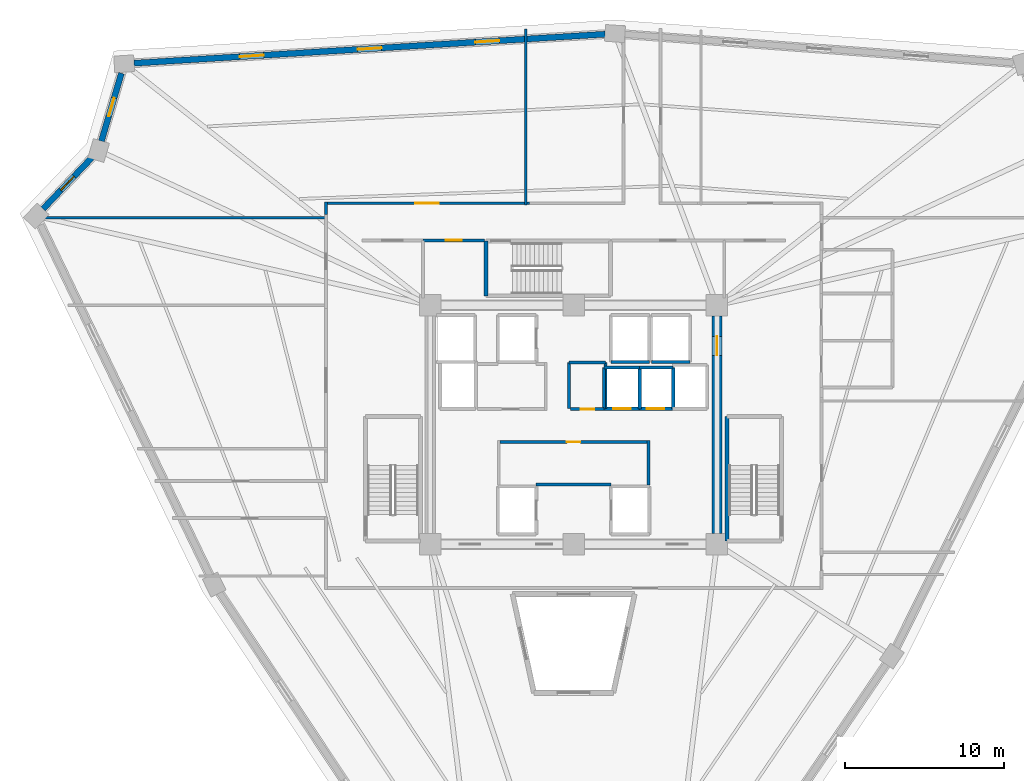
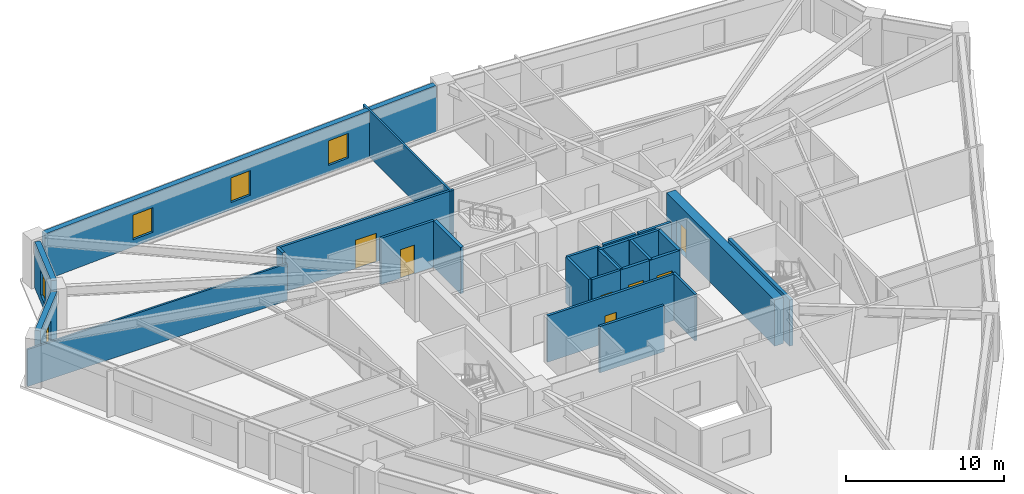
# One storey, part 5 of 8: 27 walls, 7 doors, 5 windows, 12 openings.
"""IFC4 building model written with IfcOpenShell, lengths in metres."""

from ifc_helpers import new_model, si_unit, direction, frame, frame_2d, origin, place, context, subcontext, project, spatial, rectangle, extrude, source, transform, mapped, material, layer, layer_set, type_object, element, fill, save


model = new_model("IFC4")

# Units and contexts
model_context = context("Model", 3, precision=1e-05, world=origin(), true_north=direction((0.0, 1.0)))
body_context = subcontext(model_context, "Body", "Model", "MODEL_VIEW")
ifc_project = project(units=[si_unit("LENGTHUNIT", "METRE"), si_unit("AREAUNIT", "SQUARE_METRE"), si_unit("VOLUMEUNIT", "CUBIC_METRE"), si_unit("PLANEANGLEUNIT", "RADIAN"), si_unit("MASSUNIT", "GRAM", prefix="KILO")], contexts=[model_context])

# Site, building, storey
site_placement = place(None, origin())
site = spatial("IfcSite", under=ifc_project, at=site_placement, CompositionType="ELEMENT")
building_placement = place(site_placement, origin())
building = spatial("IfcBuilding", under=site, at=building_placement, Name="Liaohun Quay Tower", CompositionType="ELEMENT")
storey_placement = place(building_placement, frame((0.0, 0.0, 205.5)))
storey = spatial("IfcBuildingStorey", under=building, at=storey_placement, Name="L53", CompositionType="ELEMENT", Elevation=205.5)

# Wall, opening, door
ifc_material_1 = material(Name="Concrete C55", Category="concrete")
ifc_layer_1 = layer(ifc_material_1, 0.64990234375, Name="Concrete C55", Category="concrete")
ifc_layer_set_1 = layer_set([ifc_layer_1], Name="Concrete C55")
wall_type_1 = type_object("IfcWallType", Name="WAL-COR-Z3", PredefinedType="SHEAR", material=ifc_layer_set_1)
wall_1_placement = place(storey_placement, frame((69.0, 60.824951171875, 0.0), z_axis=(0.0, 0.0, 1.0), x_axis=(0.0, -1.0, 0.0)))
wall_1 = element("IfcWall", 1, at=wall_1_placement, inside=storey, type_object=wall_type_1, Name="L53 Central Core Shear Wall E", PredefinedType="SHEAR", context=body_context, shape_type="SweptSolid", body=[
    extrude(rectangle(XDim=13.64990234375, YDim=0.64990234375, at=frame_2d((6.824951171875, 0.0))), origin(), (0.0, 0.0, 1.0), 3.570068359375),
])
shared_shape_1 = source(origin(), body_context, "Body", "SweptSolid", [
    extrude(rectangle(XDim=1.199951171875, YDim=2.199951171875, at=frame_2d((0.60009765625, 1.10009765625))), frame((0.0, 0.3349609375, 0.0), z_axis=(0.0, -1.0, 0.0), x_axis=(1.0, 0.0, 0.0)), (0.0, 0.0, 1.0), 0.669921875),
])
opening_1_placement = place(wall_1_placement, frame((1.27490234375, 0.0, 0.0)))
opening_1 = element("IfcOpeningElement", 2, at=opening_1_placement, cuts=wall_1, Name="Opening SD1", PredefinedType="OPENING", context=body_context, shape_type="MappedRepresentation", body=[
    mapped(shared_shape_1, transform((0.0, 0.0, 0.0), x_axis=(1.0, 0.0, 0.0), y_axis=(0.0, 1.0, 0.0), z_axis=(0.0, 0.0, 1.0), scale=1.0)),
])
ifc_material_2 = material(Name="Galvanised steel fire door", Category="steel")
door_type_1 = type_object("IfcDoorType", Name="DOR-STR-1200", OperationType="NOTDEFINED", PredefinedType="DOOR", material=ifc_material_2)
shared_shape_2 = source(origin(), body_context, "Body", "SweptSolid", [
    extrude(rectangle(XDim=1.199951171875, YDim=2.199951171875, at=frame_2d((0.60009765625, 1.10009765625))), frame((0.0, 0.02490234375, 0.0), z_axis=(0.0, -1.0, 0.0), x_axis=(1.0, 0.0, 0.0)), (0.0, 0.0, 1.0), 0.050048828125),
])
door_1_placement = place(opening_1_placement, origin())
door_1 = element("IfcDoor", 3, at=door_1_placement, inside=storey, type_object=door_type_1, Name="L53 North-East Core Lobby Smokeproof Door", OperationType="SINGLE_SWING_LEFT", OverallHeight=2.199951171875, OverallWidth=1.199951171875, PredefinedType="DOOR", context=body_context, shape_type="MappedRepresentation", body=[
    mapped(shared_shape_2, transform((0.0, 0.0, 0.0), x_axis=(1.0, 0.0, 0.0), y_axis=(0.0, 1.0, 0.0), z_axis=(0.0, 0.0, 1.0), scale=1.0)),
])
fill(opening_1, door_1)

# Wall, openings, windows
ifc_material_3 = material(Name="Precast concrete C50 insulated sandwich", Category="concrete")
ifc_layer_2 = layer(ifc_material_3, 0.3798828125, Name="Precast concrete C50 insulated sandwich", Category="concrete")
ifc_layer_set_2 = layer_set([ifc_layer_2], Name="Precast concrete C50 insulated sandwich")
wall_type_2 = type_object("IfcWallType", Name="WAL-EXT-Z34", PredefinedType="SOLIDWALL", material=ifc_layer_set_2)
wall_2_placement = place(storey_placement, frame((61.97900390625, 78.52392578125, 0.0), z_axis=(0.0, 0.0, 1.0), x_axis=(-0.998104910724, -0.061535251593, 0.0)))
wall_2 = element("IfcWall", 4, at=wall_2_placement, inside=storey, type_object=wall_type_2, Name="L53 Brutalist Precast Pier Wall 07", PredefinedType="SOLIDWALL", context=body_context, shape_type="SweptSolid", body=[
    extrude(rectangle(XDim=29.64111328125, YDim=0.3798828125, at=frame_2d((14.820556640625, 0.0))), origin(), (0.0, 0.0, 1.0), 3.570068359375),
])
shared_shape_3 = source(origin(), body_context, "Body", "SweptSolid", [
    extrude(rectangle(XDim=1.5, YDim=1.89990234375, at=frame_2d((0.75, 0.949951171875))), frame((0.0, 0.199951171875, 0.0), z_axis=(0.0, -1.0, 0.0), x_axis=(1.0, 0.0, 0.0)), (0.0, 0.0, 1.0), 0.39990234375),
])
opening_2_placement = place(wall_2_placement, frame((6.659912109375, 0.0, 0.550048828125)))
opening_2 = element("IfcOpeningElement", 5, at=opening_2_placement, cuts=wall_2, Name="Opening W03", PredefinedType="OPENING", context=body_context, shape_type="MappedRepresentation", body=[
    mapped(shared_shape_3, transform((0.0, 0.0, 0.0), x_axis=(1.0, 0.0, 0.0), y_axis=(0.0, 1.0, 0.0), z_axis=(0.0, 0.0, 1.0), scale=1.0)),
])
opening_3_placement = place(wall_2_placement, frame((14.071044921875, 0.0, 0.550048828125)))
opening_3 = element("IfcOpeningElement", 6, at=opening_3_placement, cuts=wall_2, Name="Opening W03", PredefinedType="OPENING", context=body_context, shape_type="MappedRepresentation", body=[
    mapped(shared_shape_3, transform((0.0, 0.0, 0.0), x_axis=(1.0, 0.0, 0.0), y_axis=(0.0, 1.0, 0.0), z_axis=(0.0, 0.0, 1.0), scale=1.0)),
])
opening_4_placement = place(wall_2_placement, frame((21.48095703125, 0.0, 0.550048828125)))
opening_4 = element("IfcOpeningElement", 7, at=opening_4_placement, cuts=wall_2, Name="Opening W03", PredefinedType="OPENING", context=body_context, shape_type="MappedRepresentation", body=[
    mapped(shared_shape_3, transform((0.0, 0.0, 0.0), x_axis=(1.0, 0.0, 0.0), y_axis=(0.0, 1.0, 0.0), z_axis=(0.0, 0.0, 1.0), scale=1.0)),
])
ifc_material_4 = material(Name="Triple Low-E argon glazing in thermally broken aluminium", Category="aluminium")
window_type_1 = type_object("IfcWindowType", Name="WIN-PUN-Z3", PartitioningType="DOUBLE_PANEL_VERTICAL", PredefinedType="WINDOW", material=ifc_material_4)
shared_shape_4 = source(origin(), body_context, "Body", "SweptSolid", [
    extrude(rectangle(XDim=1.5, YDim=1.89990234375, at=frame_2d((0.75, 0.949951171875))), frame((0.0, 0.030029296875, 0.0), z_axis=(0.0, -1.0, 0.0), x_axis=(1.0, 0.0, 0.0)), (0.0, 0.0, 1.0), 0.06005859375),
])
window_1_placement = place(opening_2_placement, origin())
window_1 = element("IfcWindow", 8, at=window_1_placement, inside=storey, type_object=window_type_1, Name="L53 Recessed Cold-Climate Punched Window 07-1", OverallHeight=1.89990234375, OverallWidth=1.5, PartitioningType="DOUBLE_PANEL_VERTICAL", PredefinedType="WINDOW", context=body_context, shape_type="MappedRepresentation", body=[
    mapped(shared_shape_4, transform((0.0, 0.0, 0.0), x_axis=(1.0, 0.0, 0.0), y_axis=(0.0, 1.0, 0.0), z_axis=(0.0, 0.0, 1.0), scale=1.0)),
])
fill(opening_2, window_1)
window_2_placement = place(opening_3_placement, origin())
window_2 = element("IfcWindow", 9, at=window_2_placement, inside=storey, type_object=window_type_1, Name="L53 Recessed Cold-Climate Punched Window 07-2", OverallHeight=1.89990234375, OverallWidth=1.5, PartitioningType="DOUBLE_PANEL_VERTICAL", PredefinedType="WINDOW", context=body_context, shape_type="MappedRepresentation", body=[
    mapped(shared_shape_4, transform((0.0, 0.0, 0.0), x_axis=(1.0, 0.0, 0.0), y_axis=(0.0, 1.0, 0.0), z_axis=(0.0, 0.0, 1.0), scale=1.0)),
])
fill(opening_3, window_2)
window_3_placement = place(opening_4_placement, origin())
window_3 = element("IfcWindow", 10, at=window_3_placement, inside=storey, type_object=window_type_1, Name="L53 Recessed Cold-Climate Punched Window 07-3", OverallHeight=1.89990234375, OverallWidth=1.5, PartitioningType="DOUBLE_PANEL_VERTICAL", PredefinedType="WINDOW", context=body_context, shape_type="MappedRepresentation", body=[
    mapped(shared_shape_4, transform((0.0, 0.0, 0.0), x_axis=(1.0, 0.0, 0.0), y_axis=(0.0, 1.0, 0.0), z_axis=(0.0, 0.0, 1.0), scale=1.0)),
])
fill(opening_4, window_3)

# Wall, opening, window
wall_3_placement = place(storey_placement, frame((31.60595703125, 76.072021484375, 0.0), z_axis=(0.0, 0.0, 1.0), x_axis=(-0.282591614123, -0.959240313804, 0.0)))
wall_3 = element("IfcWall", 11, at=wall_3_placement, inside=storey, type_object=wall_type_2, Name="L53 Brutalist Precast Pier Wall 08", PredefinedType="SOLIDWALL", context=body_context, shape_type="SweptSolid", body=[
    extrude(rectangle(XDim=4.444091796875, YDim=0.3798828125, at=frame_2d((2.22216796875, 0.0))), origin(), (0.0, 0.0, 1.0), 3.570068359375),
])
shared_shape_5 = source(origin(), body_context, "Body", "SweptSolid", [
    extrude(rectangle(XDim=1.199951171875, YDim=1.89990234375, at=frame_2d((0.60009765625, 0.949951171875))), frame((0.0, 0.199951171875, 0.0), z_axis=(0.0, -1.0, 0.0), x_axis=(1.0, 0.0, 0.0)), (0.0, 0.0, 1.0), 0.39990234375),
])
opening_5_placement = place(wall_3_placement, frame((1.6220703125, 0.0, 0.550048828125)))
opening_5 = element("IfcOpeningElement", 12, at=opening_5_placement, cuts=wall_3, Name="Opening W05", PredefinedType="OPENING", context=body_context, shape_type="MappedRepresentation", body=[
    mapped(shared_shape_5, transform((0.0, 0.0, 0.0), x_axis=(1.0, 0.0, 0.0), y_axis=(0.0, 1.0, 0.0), z_axis=(0.0, 0.0, 1.0), scale=1.0)),
])
ifc_material_5 = material(Name="Triple Low-E corner notch glazing", Category="glass")
window_type_2 = type_object("IfcWindowType", Name="WIN-NOTCH", PartitioningType="SINGLE_PANEL", PredefinedType="WINDOW", material=ifc_material_5)
shared_shape_6 = source(origin(), body_context, "Body", "SweptSolid", [
    extrude(rectangle(XDim=1.199951171875, YDim=1.89990234375, at=frame_2d((0.60009765625, 0.949951171875))), frame((0.0, 0.030029296875, 0.0), z_axis=(0.0, -1.0, 0.0), x_axis=(1.0, 0.0, 0.0)), (0.0, 0.0, 1.0), 0.06005859375),
])
window_4_placement = place(opening_5_placement, origin())
window_4 = element("IfcWindow", 13, at=window_4_placement, inside=storey, type_object=window_type_2, Name="L53 Corner Notch Window W05-08", OverallHeight=1.89990234375, OverallWidth=1.199951171875, PartitioningType="SINGLE_PANEL", PredefinedType="WINDOW", context=body_context, shape_type="MappedRepresentation", body=[
    mapped(shared_shape_6, transform((0.0, 0.0, 0.0), x_axis=(1.0, 0.0, 0.0), y_axis=(0.0, 1.0, 0.0), z_axis=(0.0, 0.0, 1.0), scale=1.0)),
])
fill(opening_5, window_4)

wall_4_placement = place(storey_placement, frame((29.751953125, 70.77294921875, 0.0), z_axis=(0.0, 0.0, 1.0), x_axis=(-0.689477097778, -0.724307484181, 0.0)))
wall_4 = element("IfcWall", 14, at=wall_4_placement, inside=storey, type_object=wall_type_2, Name="L53 Brutalist Precast Pier Wall 09", PredefinedType="SOLIDWALL", context=body_context, shape_type="SweptSolid", body=[
    extrude(rectangle(XDim=4.450927734375, YDim=0.3798828125, at=frame_2d((2.2255859375, 0.0))), origin(), (0.0, 0.0, 1.0), 3.570068359375),
])
opening_6_placement = place(wall_4_placement, frame((1.6259765625, 0.0, 0.550048828125)))
opening_6 = element("IfcOpeningElement", 15, at=opening_6_placement, cuts=wall_4, Name="Opening W05", PredefinedType="OPENING", context=body_context, shape_type="MappedRepresentation", body=[
    mapped(shared_shape_5, transform((0.0, 0.0, 0.0), x_axis=(1.0, 0.0, 0.0), y_axis=(0.0, 1.0, 0.0), z_axis=(0.0, 0.0, 1.0), scale=1.0)),
])
window_5_placement = place(opening_6_placement, origin())
window_5 = element("IfcWindow", 16, at=window_5_placement, inside=storey, type_object=window_type_2, Name="L53 Corner Notch Window W05-09", OverallHeight=1.89990234375, OverallWidth=1.199951171875, PartitioningType="SINGLE_PANEL", PredefinedType="WINDOW", context=body_context, shape_type="MappedRepresentation", body=[
    mapped(shared_shape_6, transform((0.0, 0.0, 0.0), x_axis=(1.0, 0.0, 0.0), y_axis=(0.0, 1.0, 0.0), z_axis=(0.0, 0.0, 1.0), scale=1.0)),
])
fill(opening_6, window_5)

# Wall, opening, door
ifc_material_6 = material(Name="Autoclaved aerated concrete blockwork", Category="masonry")
ifc_layer_3 = layer(ifc_material_6, 0.179931640625, Name="Autoclaved aerated concrete blockwork", Category="masonry")
ifc_layer_set_3 = layer_set([ifc_layer_3], Name="Autoclaved aerated concrete blockwork")
wall_type_3 = type_object("IfcWallType", Name="WAL-PRT-COR", PredefinedType="PARTITIONING", material=ifc_layer_set_3)
wall_5_placement = place(storey_placement, frame((55.389892578125, 52.919921875, 0.0), z_axis=(0.0, 0.0, 1.0), x_axis=(1.0, 0.0, 0.0)))
wall_5 = element("IfcWall", 17, at=wall_5_placement, inside=storey, type_object=wall_type_3, Name="L53 Interior Partition Wall 001", PredefinedType="PARTITIONING", context=body_context, shape_type="SweptSolid", body=[
    extrude(rectangle(XDim=9.22021484375, YDim=0.179931640625, at=frame_2d((4.610107421875, 0.0))), origin(), (0.0, 0.0, 1.0), 3.570068359375),
])
shared_shape_7 = source(origin(), body_context, "Body", "SweptSolid", [
    extrude(rectangle(XDim=0.85009765625, YDim=2.10009765625, at=frame_2d((0.425048828125, 1.050048828125))), frame((0.0, 0.099853515625, 0.0), z_axis=(0.0, -1.0, 0.0), x_axis=(1.0, 0.0, 0.0)), (0.0, 0.0, 1.0), 0.199951171875),
])
opening_7_placement = place(wall_5_placement, frame((4.18505859375, 0.0, 0.0)))
opening_7 = element("IfcOpeningElement", 18, at=opening_7_placement, cuts=wall_5, Name="Opening AD1", PredefinedType="OPENING", context=body_context, shape_type="MappedRepresentation", body=[
    mapped(shared_shape_7, transform((0.0, 0.0, 0.0), x_axis=(1.0, 0.0, 0.0), y_axis=(0.0, 1.0, 0.0), z_axis=(0.0, 0.0, 1.0), scale=1.0)),
])
ifc_material_7 = material(Name="Steel riser inspection fire door", Category="steel")
door_type_2 = type_object("IfcDoorType", Name="DOR-SHF-850", OperationType="NOTDEFINED", PredefinedType="DOOR", material=ifc_material_7)
shared_shape_8 = source(origin(), body_context, "Body", "SweptSolid", [
    extrude(rectangle(XDim=0.85009765625, YDim=2.10009765625, at=frame_2d((0.425048828125, 1.050048828125))), frame((0.0, 0.02490234375, 0.0), z_axis=(0.0, -1.0, 0.0), x_axis=(1.0, 0.0, 0.0)), (0.0, 0.0, 1.0), 0.050048828125),
])
door_2_placement = place(opening_7_placement, origin())
door_2 = element("IfcDoor", 19, at=door_2_placement, inside=storey, type_object=door_type_2, Name="L53 Core Tenant Storage and Archive Room Door", OperationType="SINGLE_SWING_RIGHT", OverallHeight=2.10009765625, OverallWidth=0.85009765625, PredefinedType="DOOR", context=body_context, shape_type="MappedRepresentation", body=[
    mapped(shared_shape_8, transform((0.0, 0.0, 0.0), x_axis=(1.0, 0.0, 0.0), y_axis=(0.0, 1.0, 0.0), z_axis=(0.0, 0.0, 1.0), scale=1.0)),
])
fill(opening_7, door_2)

wall_6_placement = place(storey_placement, frame((59.81005859375, 54.97998046875, 0.0), z_axis=(0.0, 0.0, 1.0), x_axis=(1.0, 0.0, 0.0)))
wall_6 = element("IfcWall", 20, at=wall_6_placement, inside=storey, type_object=wall_type_3, Name="L53 Interior Partition Wall 003", PredefinedType="PARTITIONING", context=body_context, shape_type="SweptSolid", body=[
    extrude(rectangle(XDim=2.08984375, YDim=0.179931640625, at=frame_2d((1.044921875, 0.0))), origin(), (0.0, 0.0, 1.0), 3.570068359375),
])
opening_8_placement = place(wall_6_placement, frame((0.635009765625, 0.0, 0.0)))
opening_8 = element("IfcOpeningElement", 21, at=opening_8_placement, cuts=wall_6, Name="Opening AD1", PredefinedType="OPENING", context=body_context, shape_type="MappedRepresentation", body=[
    mapped(shared_shape_7, transform((0.0, 0.0, 0.0), x_axis=(1.0, 0.0, 0.0), y_axis=(0.0, 1.0, 0.0), z_axis=(0.0, 0.0, 1.0), scale=1.0)),
])
door_3_placement = place(opening_8_placement, origin())
door_3 = element("IfcDoor", 22, at=door_3_placement, inside=storey, type_object=door_type_2, Name="L53 Core Electrical and Telecom Riser Room Door", OperationType="SINGLE_SWING_RIGHT", OverallHeight=2.10009765625, OverallWidth=0.85009765625, PredefinedType="DOOR", context=body_context, shape_type="MappedRepresentation", body=[
    mapped(shared_shape_8, transform((0.0, 0.0, 0.0), x_axis=(1.0, 0.0, 0.0), y_axis=(0.0, 1.0, 0.0), z_axis=(0.0, 0.0, 1.0), scale=1.0)),
])
fill(opening_8, door_3)

wall_7_placement = place(storey_placement, frame((50.5400390625, 65.580078125, 0.0), z_axis=(0.0, 0.0, 1.0), x_axis=(1.0, 0.0, 0.0)))
wall_7 = element("IfcWall", 23, at=wall_7_placement, inside=storey, type_object=wall_type_3, Name="L53 Interior Partition Wall 007", PredefinedType="PARTITIONING", context=body_context, shape_type="SweptSolid", body=[
    extrude(rectangle(XDim=3.869873046875, YDim=0.179931640625, at=frame_2d((1.93505859375, 0.0))), origin(), (0.0, 0.0, 1.0), 3.570068359375),
])
shared_shape_9 = source(origin(), body_context, "Body", "SweptSolid", [
    extrude(rectangle(XDim=1.0, YDim=2.199951171875, at=frame_2d((0.5, 1.10009765625))), frame((0.0, 0.099853515625, 0.0), z_axis=(0.0, -1.0, 0.0), x_axis=(1.0, 0.0, 0.0)), (0.0, 0.0, 1.0), 0.199951171875),
])
opening_9_placement = place(wall_7_placement, frame((1.43505859375, 0.0, 0.0)))
opening_9 = element("IfcOpeningElement", 24, at=opening_9_placement, cuts=wall_7, Name="Opening OD1", PredefinedType="OPENING", context=body_context, shape_type="MappedRepresentation", body=[
    mapped(shared_shape_9, transform((0.0, 0.0, 0.0), x_axis=(1.0, 0.0, 0.0), y_axis=(0.0, 1.0, 0.0), z_axis=(0.0, 0.0, 1.0), scale=1.0)),
])
ifc_material_8 = material(Name="Solid-core oak veneer timber leaf in steel frame", Category="steel")
door_type_3 = type_object("IfcDoorType", Name="DOR-OFF-1000", OperationType="NOTDEFINED", PredefinedType="DOOR", material=ifc_material_8)
shared_shape_10 = source(origin(), body_context, "Body", "SweptSolid", [
    extrude(rectangle(XDim=1.0, YDim=2.199951171875, at=frame_2d((0.5, 1.10009765625))), frame((0.0, 0.02490234375, 0.0), z_axis=(0.0, -1.0, 0.0), x_axis=(1.0, 0.0, 0.0)), (0.0, 0.0, 1.0), 0.050048828125),
])
door_4_placement = place(opening_9_placement, origin())
door_4 = element("IfcDoor", 25, at=door_4_placement, inside=storey, type_object=door_type_3, Name="L53 North-West Print and Telecom Room Door", OperationType="SINGLE_SWING_RIGHT", OverallHeight=2.199951171875, OverallWidth=1.0, PredefinedType="DOOR", context=body_context, shape_type="MappedRepresentation", body=[
    mapped(shared_shape_10, transform((0.0, 0.0, 0.0), x_axis=(1.0, 0.0, 0.0), y_axis=(0.0, 1.0, 0.0), z_axis=(0.0, 0.0, 1.0), scale=1.0)),
])
fill(opening_9, door_4)

wall_8_placement = place(storey_placement, frame((44.3701171875, 67.909912109375, 0.0), z_axis=(0.0, 0.0, 1.0), x_axis=(1.0, 0.0, 0.0)))
wall_8 = element("IfcWall", 26, at=wall_8_placement, inside=storey, type_object=wall_type_3, Name="L53 Interior Partition Wall 015", PredefinedType="PARTITIONING", context=body_context, shape_type="SweptSolid", body=[
    extrude(rectangle(XDim=12.844970703125, YDim=0.179931640625, at=frame_2d((6.42236328125, 0.0))), origin(), (0.0, 0.0, 1.0), 3.570068359375),
])
shared_shape_11 = source(origin(), body_context, "Body", "SweptSolid", [
    extrude(rectangle(XDim=1.5, YDim=2.199951171875, at=frame_2d((0.75, 1.10009765625))), frame((0.0, 0.099853515625, 0.0), z_axis=(0.0, -1.0, 0.0), x_axis=(1.0, 0.0, 0.0)), (0.0, 0.0, 1.0), 0.199951171875),
])
opening_10_placement = place(wall_8_placement, frame((5.673095703125, 0.0, 0.0)))
opening_10 = element("IfcOpeningElement", 27, at=opening_10_placement, cuts=wall_8, Name="Opening OD2", PredefinedType="OPENING", context=body_context, shape_type="MappedRepresentation", body=[
    mapped(shared_shape_11, transform((0.0, 0.0, 0.0), x_axis=(1.0, 0.0, 0.0), y_axis=(0.0, 1.0, 0.0), z_axis=(0.0, 0.0, 1.0), scale=1.0)),
])
ifc_material_9 = material(Name="Acoustic oak veneer double door")
door_type_4 = type_object("IfcDoorType", Name="DOR-OFF-1500", OperationType="DOUBLE_DOOR_SINGLE_SWING", PredefinedType="DOOR", material=ifc_material_9)
shared_shape_12 = source(origin(), body_context, "Body", "SweptSolid", [
    extrude(rectangle(XDim=1.5, YDim=2.199951171875, at=frame_2d((0.75, 1.10009765625))), frame((0.0, 0.02490234375, 0.0), z_axis=(0.0, -1.0, 0.0), x_axis=(1.0, 0.0, 0.0)), (0.0, 0.0, 1.0), 0.050048828125),
])
door_5_placement = place(opening_10_placement, origin())
door_5 = element("IfcDoor", 28, at=door_5_placement, inside=storey, type_object=door_type_4, Name="L53 Occupational Wellness Clinic 05 Door", OperationType="DOUBLE_DOOR_SINGLE_SWING", OverallHeight=2.199951171875, OverallWidth=1.5, PredefinedType="DOOR", context=body_context, shape_type="MappedRepresentation", body=[
    mapped(shared_shape_12, transform((0.0, 0.0, 0.0), x_axis=(1.0, 0.0, 0.0), y_axis=(0.0, 1.0, 0.0), z_axis=(0.0, 0.0, 1.0), scale=1.0)),
])
fill(opening_10, door_5)

# Walls
for number, where, z_axis, x_axis, name in (
    (29, (59.719970703125, 55.02001953125, 0.0), (0.0, 0.0, 1.0), (0.0, 1.0, 0.0), "L53 Interior Partition Wall 023"),
    (30, (62.010009765625, 55.02001953125, 0.0), (0.0, 0.0, 1.0), (0.0, 1.0, 0.0), "L53 Interior Partition Wall 024"),
):
    element("IfcWall", number, at=place(storey_placement, frame(where, z_axis=z_axis, x_axis=x_axis)), inside=storey, type_object=wall_type_3, Name=name, PredefinedType="PARTITIONING", context=body_context, shape_type="SweptSolid", body=[
        extrude(rectangle(XDim=2.8798828125, YDim=0.179931640625, at=frame_2d((1.43994140625, 0.0))), origin(), (0.0, 0.0, 1.0), 3.570068359375),
    ])
wall_9_placement = place(storey_placement, frame((59.719970703125, 57.919921875, 0.0), z_axis=(0.0, 0.0, 1.0), x_axis=(1.0, 0.0, 0.0)))
element("IfcWall", 31, at=wall_9_placement, inside=storey, type_object=wall_type_3, Name="L53 Interior Partition Wall 025", PredefinedType="PARTITIONING", context=body_context, shape_type="SweptSolid", body=[
    extrude(rectangle(XDim=2.2900390625, YDim=0.179931640625, at=frame_2d((1.14501953125, 0.0))), origin(), (0.0, 0.0, 1.0), 3.570068359375),
])
wall_10_placement = place(storey_placement, frame((44.43994140625, 67.215087890625, 0.0), z_axis=(0.0, 0.0, 1.0), x_axis=(0.0, 1.0, 0.0)))
element("IfcWall", 32, at=wall_10_placement, inside=storey, type_object=wall_type_3, Name="L53 Interior Partition Wall 037", PredefinedType="PARTITIONING", context=body_context, shape_type="SweptSolid", body=[
    extrude(rectangle(XDim=0.764892578125, YDim=0.179931640625, at=frame_2d((0.38232421875, 0.0))), origin(), (0.0, 0.0, 1.0), 3.570068359375),
])
wall_11_placement = place(storey_placement, frame((64.699951171875, 50.219970703125, 0.0), z_axis=(0.0, 0.0, 1.0), x_axis=(0.0, 1.0, 0.0)))
element("IfcWall", 33, at=wall_11_placement, inside=storey, type_object=wall_type_3, Name="L53 Interior Partition Wall 053", PredefinedType="PARTITIONING", context=body_context, shape_type="SweptSolid", body=[
    extrude(rectangle(XDim=2.7900390625, YDim=0.179931640625, at=frame_2d((1.39501953125, 0.0))), origin(), (0.0, 0.0, 1.0), 3.570068359375),
])
wall_12_placement = place(storey_placement, frame((57.64990234375, 50.25, 0.0), z_axis=(0.0, 0.0, 1.0), x_axis=(1.0, 0.0, 0.0)))
element("IfcWall", 34, at=wall_12_placement, inside=storey, type_object=wall_type_3, Name="L53 Interior Partition Wall 054", PredefinedType="PARTITIONING", context=body_context, shape_type="SweptSolid", body=[
    extrude(rectangle(XDim=4.7001953125, YDim=0.179931640625, at=frame_2d((2.35009765625, 0.0))), origin(), (0.0, 0.0, 1.0), 3.570068359375),
])
ifc_material_10 = material(Name="Gypsum board on twin steel studs", Category="steel")
ifc_layer_4 = layer(ifc_material_10, 0.139892578125, Name="Gypsum board on twin steel studs", Category="steel")
ifc_layer_set_4 = layer_set([ifc_layer_4], Name="Gypsum board on twin steel studs")
wall_type_4 = type_object("IfcWallType", Name="WAL-PRT-OFF", PredefinedType="PARTITIONING", material=ifc_layer_set_4)
wall_13_placement = place(storey_placement, frame((44.5400390625, 67.0, 0.0), z_axis=(0.0, 0.0, 1.0), x_axis=(-1.0, 0.0, 0.0)))
element("IfcWall", 35, at=wall_13_placement, inside=storey, type_object=wall_type_4, Name="L53 Interior Partition Wall 045", PredefinedType="PARTITIONING", context=body_context, shape_type="SweptSolid", body=[
    extrude(rectangle(XDim=18.93115234375, YDim=0.139892578125, at=frame_2d((9.465576171875, 0.0))), origin(), (0.0, 0.0, 1.0), 2.85498046875),
])
wall_14_placement = place(storey_placement, frame((57.0, 67.81005859375, 0.0), z_axis=(0.0, 0.0, 1.0), x_axis=(0.0, 1.0, 0.0)))
element("IfcWall", 36, at=wall_14_placement, inside=storey, type_object=wall_type_4, Name="L53 Interior Partition Wall 050", PredefinedType="PARTITIONING", context=body_context, shape_type="SweptSolid", body=[
    extrude(rectangle(XDim=11.037841796875, YDim=0.139892578125, at=frame_2d((5.51904296875, 0.0))), origin(), (0.0, 0.0, 1.0), 3.570068359375),
])
ifc_material_11 = material(Name="Concrete C50", Category="concrete")
ifc_layer_5 = layer(ifc_material_11, 0.239990234375, Name="Concrete C50", Category="concrete")
ifc_layer_set_5 = layer_set([ifc_layer_5], Name="Concrete C50")
wall_type_5 = type_object("IfcWallType", Name="WAL-SHF-200", PredefinedType="SOLIDWALL", material=ifc_layer_set_5)
wall_15_placement = place(storey_placement, frame((69.6201171875, 54.52001953125, 0.0), z_axis=(0.0, 0.0, 1.0), x_axis=(0.0, -1.0, 0.0)))
element("IfcWall", 37, at=wall_15_placement, inside=storey, type_object=wall_type_5, Name="L53 Stairwell ST-2 Structural Core Wall W", PredefinedType="SOLIDWALL", context=body_context, shape_type="SweptSolid", body=[
    extrude(rectangle(XDim=7.820068359375, YDim=0.239990234375, at=frame_2d((3.91015625, 0.0))), origin(), (0.0, 0.0, 1.0), 3.570068359375),
])
wall_16_placement = place(storey_placement, frame((54.5, 65.5400390625, 0.0), z_axis=(0.0, 0.0, 1.0), x_axis=(0.0, -1.0, 0.0)))
element("IfcWall", 38, at=wall_16_placement, inside=storey, type_object=wall_type_5, Name="L53 Stairwell ST-3 Structural Core Wall W", PredefinedType="SOLIDWALL", context=body_context, shape_type="SweptSolid", body=[
    extrude(rectangle(XDim=3.43994140625, YDim=0.239990234375, at=frame_2d((1.719970703125, 0.0))), origin(), (0.0, 0.0, 1.0), 3.570068359375),
])
wall_17_placement = place(storey_placement, frame((62.35009765625, 57.949951171875, 0.0), z_axis=(0.0, 0.0, 1.0), x_axis=(1.0, 0.0, 0.0)))
element("IfcWall", 39, at=wall_17_placement, inside=storey, type_object=wall_type_5, Name="L53 Lift OB-01 Hoistway Wall S", PredefinedType="SOLIDWALL", context=body_context, shape_type="SweptSolid", body=[
    extrude(rectangle(XDim=2.39990234375, YDim=0.199951171875, at=frame_2d((1.199951171875, 0.0))), origin(), (0.0, 0.0, 1.0), 3.570068359375),
])
wall_18_placement = place(storey_placement, frame((64.89990234375, 57.949951171875, 0.0), z_axis=(0.0, 0.0, 1.0), x_axis=(1.0, 0.0, 0.0)))
element("IfcWall", 40, at=wall_18_placement, inside=storey, type_object=wall_type_5, Name="L53 Lift OB-02 Hoistway Wall S", PredefinedType="SOLIDWALL", context=body_context, shape_type="SweptSolid", body=[
    extrude(rectangle(XDim=2.400146484375, YDim=0.199951171875, at=frame_2d((1.2001953125, 0.0))), origin(), (0.0, 0.0, 1.0), 3.570068359375),
])

# Wall, opening, door
wall_19_placement = place(storey_placement, frame((61.89990234375, 55.0, 0.0), z_axis=(0.0, 0.0, 1.0), x_axis=(1.0, 0.0, 0.0)))
wall_19 = element("IfcWall", 41, at=wall_19_placement, inside=storey, type_object=wall_type_5, Name="L53 Lift PL-3A Hoistway Wall S", PredefinedType="SOLIDWALL", context=body_context, shape_type="SweptSolid", body=[
    extrude(rectangle(XDim=2.25, YDim=0.199951171875, at=frame_2d((1.125, 0.0))), origin(), (0.0, 0.0, 1.0), 3.570068359375),
])
shared_shape_13 = source(origin(), body_context, "Body", "SweptSolid", [
    extrude(rectangle(XDim=1.10009765625, YDim=2.199951171875, at=frame_2d((0.550048828125, 1.10009765625))), frame((0.0, 0.10986328125, 0.0), z_axis=(0.0, -1.0, 0.0), x_axis=(1.0, 0.0, 0.0)), (0.0, 0.0, 1.0), 0.219970703125),
])
opening_11_placement = place(wall_19_placement, frame((0.574951171875, 0.0, 0.0)))
opening_11 = element("IfcOpeningElement", 42, at=opening_11_placement, cuts=wall_19, Name="Opening LD1", PredefinedType="OPENING", context=body_context, shape_type="MappedRepresentation", body=[
    mapped(shared_shape_13, transform((0.0, 0.0, 0.0), x_axis=(1.0, 0.0, 0.0), y_axis=(0.0, 1.0, 0.0), z_axis=(0.0, 0.0, 1.0), scale=1.0)),
])
ifc_material_12 = material(Name="Brushed stainless steel landing door", Category="steel")
door_type_5 = type_object("IfcDoorType", Name="DOR-LFT-1100", OperationType="SLIDING_TO_LEFT", PredefinedType="DOOR", material=ifc_material_12)
shared_shape_14 = source(origin(), body_context, "Body", "SweptSolid", [
    extrude(rectangle(XDim=1.10009765625, YDim=2.199951171875, at=frame_2d((0.550048828125, 1.10009765625))), frame((0.0, 0.02490234375, 0.0), z_axis=(0.0, -1.0, 0.0), x_axis=(1.0, 0.0, 0.0)), (0.0, 0.0, 1.0), 0.050048828125),
])
door_6_placement = place(opening_11_placement, origin())
door_6 = element("IfcDoor", 43, at=door_6_placement, inside=storey, type_object=door_type_5, Name="L53 Lift PL-3A Sliding Landing Door", OperationType="SLIDING_TO_LEFT", OverallHeight=2.199951171875, OverallWidth=1.10009765625, PredefinedType="DOOR", context=body_context, shape_type="MappedRepresentation", body=[
    mapped(shared_shape_14, transform((0.0, 0.0, 0.0), x_axis=(1.0, 0.0, 0.0), y_axis=(0.0, 1.0, 0.0), z_axis=(0.0, 0.0, 1.0), scale=1.0)),
])
fill(opening_11, door_6)

# Walls
wall_20_placement = place(storey_placement, frame((64.14990234375, 55.0, 0.0), z_axis=(0.0, 0.0, 1.0), x_axis=(0.0, 1.0, 0.0)))
element("IfcWall", 44, at=wall_20_placement, inside=storey, type_object=wall_type_5, Name="L53 Lift PL-3A Hoistway Wall E", PredefinedType="SOLIDWALL", context=body_context, shape_type="SweptSolid", body=[
    extrude(rectangle(XDim=2.60009765625, YDim=0.199951171875, at=frame_2d((1.300048828125, 0.0))), origin(), (0.0, 0.0, 1.0), 3.570068359375),
])
wall_21_placement = place(storey_placement, frame((64.14990234375, 57.60009765625, 0.0), z_axis=(0.0, 0.0, 1.0), x_axis=(-1.0, 0.0, 0.0)))
element("IfcWall", 45, at=wall_21_placement, inside=storey, type_object=wall_type_5, Name="L53 Lift PL-3A Hoistway Wall N", PredefinedType="SOLIDWALL", context=body_context, shape_type="SweptSolid", body=[
    extrude(rectangle(XDim=2.25, YDim=0.199951171875, at=frame_2d((1.125, 0.0))), origin(), (0.0, 0.0, 1.0), 3.570068359375),
])
wall_22_placement = place(storey_placement, frame((61.89990234375, 57.60009765625, 0.0), z_axis=(0.0, 0.0, 1.0), x_axis=(0.0, -1.0, 0.0)))
element("IfcWall", 46, at=wall_22_placement, inside=storey, type_object=wall_type_5, Name="L53 Lift PL-3A Hoistway Wall W", PredefinedType="SOLIDWALL", context=body_context, shape_type="SweptSolid", body=[
    extrude(rectangle(XDim=2.60009765625, YDim=0.199951171875, at=frame_2d((1.300048828125, 0.0))), origin(), (0.0, 0.0, 1.0), 3.570068359375),
])

# Wall, opening, door
wall_23_placement = place(storey_placement, frame((64.0, 55.0, 0.0), z_axis=(0.0, 0.0, 1.0), x_axis=(1.0, 0.0, 0.0)))
wall_23 = element("IfcWall", 47, at=wall_23_placement, inside=storey, type_object=wall_type_5, Name="L53 Lift PL-3B Hoistway Wall S", PredefinedType="SOLIDWALL", context=body_context, shape_type="SweptSolid", body=[
    extrude(rectangle(XDim=2.25, YDim=0.199951171875, at=frame_2d((1.125, 0.0))), origin(), (0.0, 0.0, 1.0), 3.570068359375),
])
opening_12_placement = place(wall_23_placement, frame((0.574951171875, 0.0, 0.0)))
opening_12 = element("IfcOpeningElement", 48, at=opening_12_placement, cuts=wall_23, Name="Opening LD1", PredefinedType="OPENING", context=body_context, shape_type="MappedRepresentation", body=[
    mapped(shared_shape_13, transform((0.0, 0.0, 0.0), x_axis=(1.0, 0.0, 0.0), y_axis=(0.0, 1.0, 0.0), z_axis=(0.0, 0.0, 1.0), scale=1.0)),
])
door_7_placement = place(opening_12_placement, origin())
door_7 = element("IfcDoor", 49, at=door_7_placement, inside=storey, type_object=door_type_5, Name="L53 Lift PL-3B Sliding Landing Door", OperationType="SLIDING_TO_LEFT", OverallHeight=2.199951171875, OverallWidth=1.10009765625, PredefinedType="DOOR", context=body_context, shape_type="MappedRepresentation", body=[
    mapped(shared_shape_14, transform((0.0, 0.0, 0.0), x_axis=(1.0, 0.0, 0.0), y_axis=(0.0, 1.0, 0.0), z_axis=(0.0, 0.0, 1.0), scale=1.0)),
])
fill(opening_12, door_7)

# Walls
wall_24_placement = place(storey_placement, frame((66.25, 55.0, 0.0), z_axis=(0.0, 0.0, 1.0), x_axis=(0.0, 1.0, 0.0)))
element("IfcWall", 50, at=wall_24_placement, inside=storey, type_object=wall_type_5, Name="L53 Lift PL-3B Hoistway Wall E", PredefinedType="SOLIDWALL", context=body_context, shape_type="SweptSolid", body=[
    extrude(rectangle(XDim=2.60009765625, YDim=0.199951171875, at=frame_2d((1.300048828125, 0.0))), origin(), (0.0, 0.0, 1.0), 3.570068359375),
])
wall_25_placement = place(storey_placement, frame((66.25, 57.60009765625, 0.0), z_axis=(0.0, 0.0, 1.0), x_axis=(-1.0, 0.0, 0.0)))
element("IfcWall", 51, at=wall_25_placement, inside=storey, type_object=wall_type_5, Name="L53 Lift PL-3B Hoistway Wall N", PredefinedType="SOLIDWALL", context=body_context, shape_type="SweptSolid", body=[
    extrude(rectangle(XDim=2.25, YDim=0.199951171875, at=frame_2d((1.125, 0.0))), origin(), (0.0, 0.0, 1.0), 3.570068359375),
])

save(model, "model.ifc")
